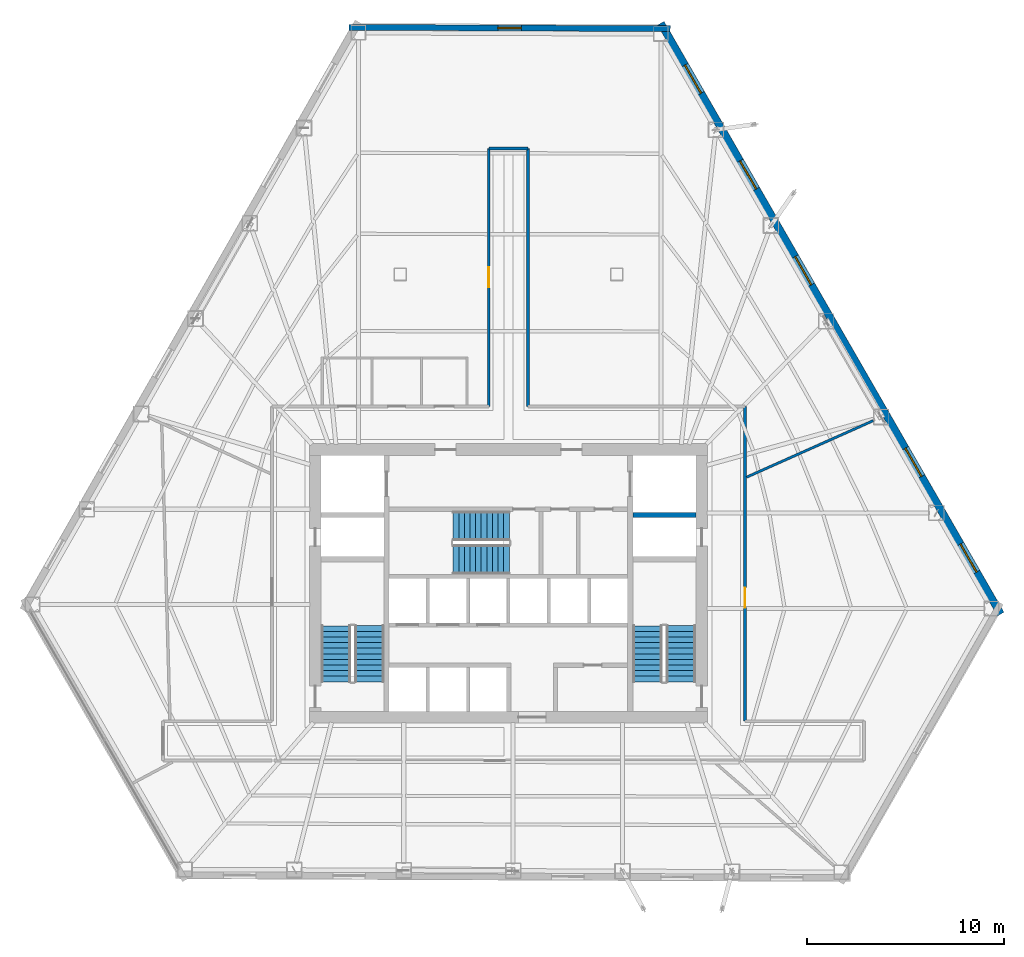
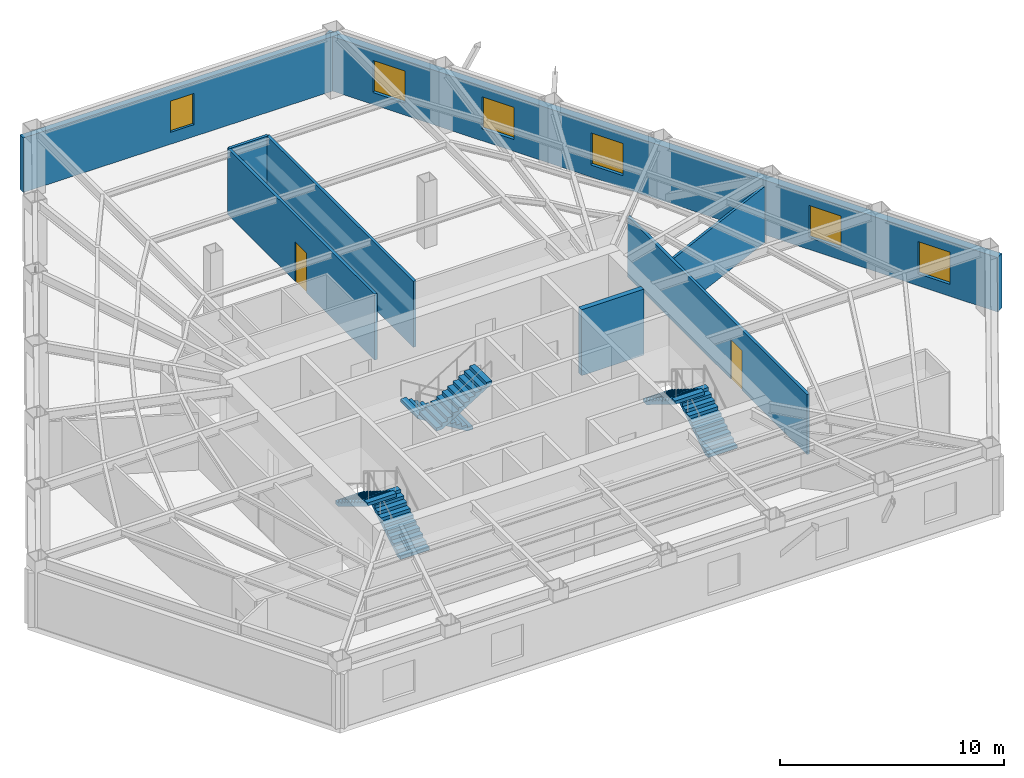
# One storey, part 11 of 13: 8 walls, 6 stair flights, 6 windows, 2 doors, 8 openings, 3 elements without a shape of their own.
"""IFC4 building model written with IfcOpenShell, lengths in metres."""

from ifc_helpers import new_model, si_unit, direction, frame, frame_2d, origin, place, context, subcontext, project, spatial, polyline, rectangle, outline, extrude, material, layer, layer_set, type_object, element, fill, aggregate, save


model = new_model("IFC4")

# Units and contexts
model_context = context("Model", 3, precision=1e-05, world=origin(), true_north=direction((0.0, 1.0)))
body_context = subcontext(model_context, "Body", "Model", "MODEL_VIEW")
ifc_project = project(units=[si_unit("LENGTHUNIT", "METRE"), si_unit("AREAUNIT", "SQUARE_METRE"), si_unit("VOLUMEUNIT", "CUBIC_METRE"), si_unit("PLANEANGLEUNIT", "RADIAN"), si_unit("MASSUNIT", "GRAM", prefix="KILO")], contexts=[model_context])

# Site, building, storey
site_placement = place(None, origin())
site = spatial("IfcSite", under=ifc_project, at=site_placement, CompositionType="ELEMENT")
building_placement = place(site_placement, origin())
building = spatial("IfcBuilding", under=site, at=building_placement, Name="Kavelnor Concourse Tower", CompositionType="ELEMENT")
storey_placement = place(building_placement, frame((0.0, 0.0, 36.800048828125)))
storey = spatial("IfcBuildingStorey", under=building, at=storey_placement, Name="L09", CompositionType="ELEMENT", Elevation=36.800048828125)

# Wall, opening, window
ifc_material_1 = material(Name="Buff ironspot clay face brick masonry", Category="masonry")
ifc_layer_1 = layer(ifc_material_1, 0.300048828125, Name="Buff ironspot clay face brick masonry")
ifc_layer_set_1 = layer_set([ifc_layer_1], Name="Buff ironspot clay face brick masonry")
wall_type_1 = type_object("IfcWallType", Name="WL-EXT-BUFF-BRICK-FOLD-300", PredefinedType="STANDARD", material=ifc_layer_set_1)
wall_1_placement = place(storey_placement, frame((29.8916015625, 44.35888671875, 0.0), z_axis=(0.0, 0.0, 1.0), x_axis=(0.99999136259, -0.004156289789, 0.0)))
wall_1 = element("IfcWall", 1, at=wall_1_placement, inside=storey, type_object=wall_type_1, Name="L09 Exterior Brick Facade Wall E0", PredefinedType="STANDARD", context=body_context, shape_type="SweptSolid", body=[
    extrude(rectangle(XDim=16.329833984375, YDim=0.300048828125, at=frame_2d((8.1650390625, 0.0))), origin(), (0.0, 0.0, 1.0), 2.969970703125),
])
opening_1_placement = place(wall_1_placement, frame((7.564697265625, 0.0, 0.64990234375)))
opening_1 = element("IfcOpeningElement", 2, at=opening_1_placement, cuts=wall_1, Name="Opening W-05", PredefinedType="OPENING", context=body_context, shape_type="SweptSolid", body=[
    extrude(rectangle(XDim=1.199951171875, YDim=1.699951171875, at=frame_2d((0.60009765625, 0.85009765625))), frame((0.0, 0.16015625, 0.0), z_axis=(0.0, -1.0, 0.0), x_axis=(1.0, 0.0, 0.0)), (0.0, 0.0, 1.0), 0.320068359375),
])
ifc_material_2 = material(Name="Double low-E argon insulated glazing", Category="glass")
window_type_1 = type_object("IfcWindowType", Name="WIN-FOLD-1200", PartitioningType="SINGLE_PANEL", PredefinedType="WINDOW", material=ifc_material_2)
window_1_placement = place(opening_1_placement, origin())
window_1 = element("IfcWindow", 3, at=window_1_placement, inside=storey, type_object=window_type_1, Name="L09 Chamfer-Fold Facet Window C0", OverallHeight=1.699951171875, OverallWidth=1.199951171875, PartitioningType="SINGLE_PANEL", PredefinedType="WINDOW", context=body_context, shape_type="SweptSolid", body=[
    extrude(rectangle(XDim=1.199951171875, YDim=1.699951171875, at=frame_2d((0.60009765625, 0.85009765625))), frame((0.0, 0.030029296875, 0.0), z_axis=(0.0, -1.0, 0.0), x_axis=(1.0, 0.0, 0.0)), (0.0, 0.0, 1.0), 0.06005859375),
])
fill(opening_1, window_1)

# Wall, openings, windows
ifc_material_3 = material(Name="Red-ochre clay face brick masonry", Category="masonry")
ifc_layer_2 = layer(ifc_material_3, 0.3798828125, Name="Red-ochre clay face brick masonry")
ifc_layer_set_2 = layer_set([ifc_layer_2], Name="Red-ochre clay face brick masonry")
wall_type_2 = type_object("IfcWallType", Name="WL-EXT-RED-BRICK-PIER-380", PredefinedType="STANDARD", material=ifc_layer_set_2)
wall_2_placement = place(storey_placement, frame((45.740234375, 44.570556640625, 0.0), z_axis=(0.0, 0.0, 1.0), x_axis=(0.498692886701, -0.866778751905, 0.0)))
wall_2 = element("IfcWall", 4, at=wall_2_placement, inside=storey, type_object=wall_type_2, Name="L09 Exterior Brick Facade Wall E5", PredefinedType="STANDARD", context=body_context, shape_type="SweptSolid", body=[
    extrude(rectangle(XDim=34.643310546875, YDim=0.3798828125, at=frame_2d((17.32177734375, 0.0))), origin(), (0.0, 0.0, 1.0), 2.969970703125),
])
opening_2_placement = place(wall_2_placement, frame((30.53564453125, 0.0, 0.64990234375)))
opening_2 = element("IfcOpeningElement", 5, at=opening_2_placement, cuts=wall_2, Name="Opening W-01", PredefinedType="OPENING", context=body_context, shape_type="SweptSolid", body=[
    extrude(rectangle(XDim=1.64990234375, YDim=1.75, at=frame_2d((0.824951171875, 0.875))), frame((0.0, 0.199951171875, 0.0), z_axis=(0.0, -1.0, 0.0), x_axis=(1.0, 0.0, 0.0)), (0.0, 0.0, 1.0), 0.39990234375),
])
opening_3_placement = place(wall_2_placement, frame((24.92041015625, 0.0, 0.64990234375)))
opening_3 = element("IfcOpeningElement", 6, at=opening_3_placement, cuts=wall_2, Name="Opening W-01", PredefinedType="OPENING", context=body_context, shape_type="SweptSolid", body=[
    extrude(rectangle(XDim=1.64990234375, YDim=1.75, at=frame_2d((0.824951171875, 0.875))), frame((0.0, 0.199951171875, 0.0), z_axis=(0.0, -1.0, 0.0), x_axis=(1.0, 0.0, 0.0)), (0.0, 0.0, 1.0), 0.39990234375),
])
opening_4_placement = place(wall_2_placement, frame((13.689697265625, 0.0, 0.64990234375)))
opening_4 = element("IfcOpeningElement", 7, at=opening_4_placement, cuts=wall_2, Name="Opening W-01", PredefinedType="OPENING", context=body_context, shape_type="SweptSolid", body=[
    extrude(rectangle(XDim=1.64990234375, YDim=1.75, at=frame_2d((0.824951171875, 0.875))), frame((0.0, 0.199951171875, 0.0), z_axis=(0.0, -1.0, 0.0), x_axis=(1.0, 0.0, 0.0)), (0.0, 0.0, 1.0), 0.39990234375),
])
opening_5_placement = place(wall_2_placement, frame((8.07421875, 0.0, 0.64990234375)))
opening_5 = element("IfcOpeningElement", 8, at=opening_5_placement, cuts=wall_2, Name="Opening W-01", PredefinedType="OPENING", context=body_context, shape_type="SweptSolid", body=[
    extrude(rectangle(XDim=1.64990234375, YDim=1.75, at=frame_2d((0.824951171875, 0.875))), frame((0.0, 0.199951171875, 0.0), z_axis=(0.0, -1.0, 0.0), x_axis=(1.0, 0.0, 0.0)), (0.0, 0.0, 1.0), 0.39990234375),
])
opening_6_placement = place(wall_2_placement, frame((2.458984375, 0.0, 0.64990234375)))
opening_6 = element("IfcOpeningElement", 9, at=opening_6_placement, cuts=wall_2, Name="Opening W-01", PredefinedType="OPENING", context=body_context, shape_type="SweptSolid", body=[
    extrude(rectangle(XDim=1.64990234375, YDim=1.75, at=frame_2d((0.824951171875, 0.875))), frame((0.0, 0.199951171875, 0.0), z_axis=(0.0, -1.0, 0.0), x_axis=(1.0, 0.0, 0.0)), (0.0, 0.0, 1.0), 0.39990234375),
])
window_type_2 = type_object("IfcWindowType", Name="WIN-PIER-Z1-1800", PartitioningType="SINGLE_PANEL", PredefinedType="WINDOW", material=ifc_material_2)
window_2_placement = place(opening_2_placement, origin())
window_2 = element("IfcWindow", 10, at=window_2_placement, inside=storey, type_object=window_type_2, Name="L09 Deep-Set Brick Pier Window F2-B0", OverallHeight=1.75, OverallWidth=1.64990234375, PartitioningType="SINGLE_PANEL", PredefinedType="WINDOW", context=body_context, shape_type="SweptSolid", body=[
    extrude(rectangle(XDim=1.64990234375, YDim=1.75, at=frame_2d((0.824951171875, 0.875))), frame((0.0, 0.030029296875, 0.0), z_axis=(0.0, -1.0, 0.0), x_axis=(1.0, 0.0, 0.0)), (0.0, 0.0, 1.0), 0.06005859375),
])
fill(opening_2, window_2)
window_3_placement = place(opening_3_placement, origin())
window_3 = element("IfcWindow", 11, at=window_3_placement, inside=storey, type_object=window_type_2, Name="L09 Deep-Set Brick Pier Window F2-B1", OverallHeight=1.75, OverallWidth=1.64990234375, PartitioningType="SINGLE_PANEL", PredefinedType="WINDOW", context=body_context, shape_type="SweptSolid", body=[
    extrude(rectangle(XDim=1.64990234375, YDim=1.75, at=frame_2d((0.824951171875, 0.875))), frame((0.0, 0.030029296875, 0.0), z_axis=(0.0, -1.0, 0.0), x_axis=(1.0, 0.0, 0.0)), (0.0, 0.0, 1.0), 0.06005859375),
])
fill(opening_3, window_3)
window_4_placement = place(opening_4_placement, origin())
window_4 = element("IfcWindow", 12, at=window_4_placement, inside=storey, type_object=window_type_2, Name="L09 Deep-Set Brick Pier Window F2-B3", OverallHeight=1.75, OverallWidth=1.64990234375, PartitioningType="SINGLE_PANEL", PredefinedType="WINDOW", context=body_context, shape_type="SweptSolid", body=[
    extrude(rectangle(XDim=1.64990234375, YDim=1.75, at=frame_2d((0.824951171875, 0.875))), frame((0.0, 0.030029296875, 0.0), z_axis=(0.0, -1.0, 0.0), x_axis=(1.0, 0.0, 0.0)), (0.0, 0.0, 1.0), 0.06005859375),
])
fill(opening_4, window_4)
window_5_placement = place(opening_5_placement, origin())
window_5 = element("IfcWindow", 13, at=window_5_placement, inside=storey, type_object=window_type_2, Name="L09 Deep-Set Brick Pier Window F2-B4", OverallHeight=1.75, OverallWidth=1.64990234375, PartitioningType="SINGLE_PANEL", PredefinedType="WINDOW", context=body_context, shape_type="SweptSolid", body=[
    extrude(rectangle(XDim=1.64990234375, YDim=1.75, at=frame_2d((0.824951171875, 0.875))), frame((0.0, 0.030029296875, 0.0), z_axis=(0.0, -1.0, 0.0), x_axis=(1.0, 0.0, 0.0)), (0.0, 0.0, 1.0), 0.06005859375),
])
fill(opening_5, window_5)
window_6_placement = place(opening_6_placement, origin())
window_6 = element("IfcWindow", 14, at=window_6_placement, inside=storey, type_object=window_type_2, Name="L09 Deep-Set Brick Pier Window F2-B5", OverallHeight=1.75, OverallWidth=1.64990234375, PartitioningType="SINGLE_PANEL", PredefinedType="WINDOW", context=body_context, shape_type="SweptSolid", body=[
    extrude(rectangle(XDim=1.64990234375, YDim=1.75, at=frame_2d((0.824951171875, 0.875))), frame((0.0, 0.030029296875, 0.0), z_axis=(0.0, -1.0, 0.0), x_axis=(1.0, 0.0, 0.0)), (0.0, 0.0, 1.0), 0.06005859375),
])
fill(opening_6, window_6)

# Wall, opening, door
ifc_material_4 = material(Name="Gypsum plasterboard on light-gauge steel studs", Category="steel")
ifc_layer_3 = layer(ifc_material_4, 0.14501953125, Name="Gypsum plasterboard on light-gauge steel studs")
ifc_layer_set_3 = layer_set([ifc_layer_3], Name="Gypsum plasterboard on light-gauge steel studs")
wall_type_3 = type_object("IfcWallType", Name="WL-INT-CORR-145", PredefinedType="PARTITIONING", material=ifc_layer_set_3)
wall_3_placement = place(storey_placement, frame((37.0, 25.10009765625, 0.0), z_axis=(0.0, 0.0, 1.0), x_axis=(0.0, 1.0, 0.0)))
wall_3 = element("IfcWall", 15, at=wall_3_placement, inside=storey, type_object=wall_type_3, Name="L09 Corridor Wall WL-L09-CR-04", PredefinedType="PARTITIONING", context=body_context, shape_type="SweptSolid", body=[
    extrude(rectangle(XDim=13.099853515625, YDim=0.14501953125, at=frame_2d((6.5498046875, 0.0))), origin(), (0.0, 0.0, 1.0), 3.58984375),
])
opening_7_placement = place(wall_3_placement, frame((6.0400390625, 0.0, 0.0)))
opening_7 = element("IfcOpeningElement", 16, at=opening_7_placement, cuts=wall_3, Name="Opening MD-102", PredefinedType="OPENING", context=body_context, shape_type="SweptSolid", body=[
    extrude(rectangle(XDim=1.02001953125, YDim=2.14990234375, at=frame_2d((0.510009765625, 1.074951171875))), frame((0.0, 0.08251953125, 0.0), z_axis=(0.0, -1.0, 0.0), x_axis=(1.0, 0.0, 0.0)), (0.0, 0.0, 1.0), 0.1650390625),
])
ifc_material_5 = material(Name="Acoustic glazed timber frame", Category="wood")
door_type = type_object("IfcDoorType", Name="DR-MEETING-1020", OperationType="NOTDEFINED", PredefinedType="DOOR", material=ifc_material_5)
door_1_placement = place(opening_7_placement, origin())
door_1 = element("IfcDoor", 17, at=door_1_placement, inside=storey, type_object=door_type, Name="L09 Client Boardroom 01 Door", OperationType="SINGLE_SWING_LEFT", OverallHeight=2.14990234375, OverallWidth=1.02001953125, PredefinedType="DOOR", context=body_context, shape_type="SweptSolid", body=[
    extrude(rectangle(XDim=1.02001953125, YDim=2.14990234375, at=frame_2d((0.510009765625, 1.074951171875))), frame((0.0, 0.02490234375, 0.0), z_axis=(0.0, -1.0, 0.0), x_axis=(1.0, 0.0, 0.0)), (0.0, 0.0, 1.0), 0.050048828125),
])
fill(opening_7, door_1)

# Walls
wall_4_placement = place(storey_placement, frame((37.0, 38.199951171875, 0.0), z_axis=(0.0, 0.0, 1.0), x_axis=(1.0, 0.0, 0.0)))
element("IfcWall", 18, at=wall_4_placement, inside=storey, type_object=wall_type_3, Name="L09 Corridor Wall WL-L09-CR-05", PredefinedType="PARTITIONING", context=body_context, shape_type="SweptSolid", body=[
    extrude(rectangle(XDim=2.0, YDim=0.14501953125, at=frame_2d((1.0, 0.0))), origin(), (0.0, 0.0, 1.0), 3.58984375),
])
wall_5_placement = place(storey_placement, frame((39.0, 38.199951171875, 0.0), z_axis=(0.0, 0.0, 1.0), x_axis=(0.0, -1.0, 0.0)))
element("IfcWall", 19, at=wall_5_placement, inside=storey, type_object=wall_type_3, Name="L09 Corridor Wall WL-L09-CR-06", PredefinedType="PARTITIONING", context=body_context, shape_type="SweptSolid", body=[
    extrude(rectangle(XDim=13.099853515625, YDim=0.14501953125, at=frame_2d((6.5498046875, 0.0))), origin(), (0.0, 0.0, 1.0), 3.58984375),
])

# Wall, opening, door
wall_6_placement = place(storey_placement, frame((50.02001953125, 25.10009765625, 0.0), z_axis=(0.0, 0.0, 1.0), x_axis=(0.0, -1.0, 0.0)))
wall_6 = element("IfcWall", 20, at=wall_6_placement, inside=storey, type_object=wall_type_3, Name="L09 Corridor Wall WL-L09-CR-08", PredefinedType="PARTITIONING", context=body_context, shape_type="SweptSolid", body=[
    extrude(rectangle(XDim=16.0, YDim=0.14501953125, at=frame_2d((8.0, 0.0))), origin(), (0.0, 0.0, 1.0), 3.27783203125),
])
opening_8_placement = place(wall_6_placement, frame((9.206787109375, 0.0, 0.0)))
opening_8 = element("IfcOpeningElement", 21, at=opening_8_placement, cuts=wall_6, Name="Opening MD-102", PredefinedType="OPENING", context=body_context, shape_type="SweptSolid", body=[
    extrude(rectangle(XDim=1.02001953125, YDim=2.14990234375, at=frame_2d((0.510009765625, 1.074951171875))), frame((0.0, 0.08251953125, 0.0), z_axis=(0.0, -1.0, 0.0), x_axis=(1.0, 0.0, 0.0)), (0.0, 0.0, 1.0), 0.1650390625),
])
door_2_placement = place(opening_8_placement, origin())
door_2 = element("IfcDoor", 22, at=door_2_placement, inside=storey, type_object=door_type, Name="L09 Client Boardroom 05 Door", OperationType="SINGLE_SWING_LEFT", OverallHeight=2.14990234375, OverallWidth=1.02001953125, PredefinedType="DOOR", context=body_context, shape_type="SweptSolid", body=[
    extrude(rectangle(XDim=1.02001953125, YDim=2.14990234375, at=frame_2d((0.510009765625, 1.074951171875))), frame((0.0, 0.02490234375, 0.0), z_axis=(0.0, -1.0, 0.0), x_axis=(1.0, 0.0, 0.0)), (0.0, 0.0, 1.0), 0.050048828125),
])
fill(opening_8, door_2)

# Walls
ifc_layer_4 = layer(ifc_material_4, 0.125, Name="Gypsum plasterboard on light-gauge steel studs")
ifc_layer_set_4 = layer_set([ifc_layer_4], Name="Gypsum plasterboard on light-gauge steel studs")
wall_type_4 = type_object("IfcWallType", Name="WL-INT-SUITE-125", PredefinedType="PARTITIONING", material=ifc_layer_set_4)
wall_7_placement = place(storey_placement, frame((50.1005859375, 21.499755859375, 0.0), z_axis=(0.0, 0.0, 1.0), x_axis=(0.913210626339, 0.407487854963, 0.0)))
element("IfcWall", 23, at=wall_7_placement, inside=storey, type_object=wall_type_4, Name="L09 Radial Suite Partition 01", PredefinedType="PARTITIONING", context=body_context, shape_type="SweptSolid", body=[
    extrude(rectangle(XDim=7.04833984375, YDim=0.125, at=frame_2d((3.524169921875, 0.0))), origin(), (0.0, 0.0, 1.0), 3.056884765625),
])
ifc_material_6 = material(Name="Concrete C50/60", Category="concrete")
ifc_layer_5 = layer(ifc_material_6, 0.260009765625, Name="Concrete C50/60")
ifc_layer_set_5 = layer_set([ifc_layer_5], Name="Concrete C50/60")
wall_type_5 = type_object("IfcWallType", Name="WL-SHAFT-260", PredefinedType="SHEAR", material=ifc_layer_set_5)
wall_8_placement = place(storey_placement, frame((44.320068359375, 19.570068359375, 0.0), z_axis=(0.0, 0.0, 1.0), x_axis=(1.0, 0.0, 0.0)))
element("IfcWall", 24, at=wall_8_placement, inside=storey, type_object=wall_type_5, Name="L09 Emergency Lift FL2 South Shaft Wall", PredefinedType="SHEAR", context=body_context, shape_type="SweptSolid", body=[
    extrude(rectangle(XDim=3.199951171875, YDim=0.260009765625, at=frame_2d((1.60009765625, 0.0))), origin(), (0.0, 0.0, 1.0), 3.58984375),
])

# Stair, stair flights
ifc_material_7 = material(Name="Concrete C40/50", Category="concrete")
stair_type = type_object("IfcStairType", Name="STR-CORE-1500", PredefinedType="HALF_TURN_STAIR", material=ifc_material_7)
stair_1_placement = place(storey_placement, origin())
stair_1 = element("IfcStair", 25, at=stair_1_placement, inside=storey, type_object=stair_type, Name="L09 ST1", PredefinedType="HALF_TURN_STAIR")
stair_flight_type = type_object("IfcStairFlightType", Name="STR-FLIGHT-1500", PredefinedType="STRAIGHT", material=ifc_material_7)
stair_flight_1_placement = place(storey_placement, frame((30.929931640625, 11.10009765625, 0.0), z_axis=(0.0, 0.0, 1.0), x_axis=(0.0, 1.0, 0.0)))
stair_flight_1 = element("IfcStairFlight", 26, at=stair_flight_1_placement, type_object=stair_flight_type, Name="ST1 flight 1", NumberOfRisers=11, NumberOfTreads=10, PredefinedType="STRAIGHT", RiserHeight=0.175, TreadLength=0.285, context=body_context, shape_type="SweptSolid", body=[
    extrude(outline(polyline([(0.0, 0.0), (0.0, 0.175048828125), (0.284912109375, 0.175048828125), (0.284912109375, 0.35009765625), (0.570068359375, 0.35009765625), (0.570068359375, 0.52490234375), (0.85498046875, 0.52490234375), (0.85498046875, 0.699951171875), (1.139892578125, 0.699951171875), (1.139892578125, 0.875), (1.425048828125, 0.875), (1.425048828125, 1.050048828125), (1.7099609375, 1.050048828125), (1.7099609375, 1.22509765625), (1.9951171875, 1.22509765625), (1.9951171875, 1.39990234375), (2.280029296875, 1.39990234375), (2.280029296875, 1.574951171875), (2.56494140625, 1.574951171875), (2.56494140625, 1.75), (2.85009765625, 1.75), (2.85009765625, 1.925048828125), (2.85009765625, 1.573974609375), (0.286376953125, 0.0), (0.0, 0.0)])), frame((0.0, 0.75, 0.0), z_axis=(0.0, -1.0, 0.0), x_axis=(1.0, 0.0, 0.0)), (0.0, 0.0, 1.0), 1.5),
])
stair_flight_2_placement = place(storey_placement, frame((29.22998046875, 13.949951171875, 1.925048828125), z_axis=(0.0, 0.0, 1.0), x_axis=(0.0, -1.0, 0.0)))
stair_flight_2 = element("IfcStairFlight", 27, at=stair_flight_2_placement, type_object=stair_flight_type, Name="ST1 flight 2", NumberOfRisers=11, NumberOfTreads=10, PredefinedType="STRAIGHT", RiserHeight=0.175, TreadLength=0.285, context=body_context, shape_type="SweptSolid", body=[
    extrude(outline(polyline([(0.0, 0.0), (0.0, 0.175048828125), (0.284912109375, 0.175048828125), (0.284912109375, 0.35009765625), (0.570068359375, 0.35009765625), (0.570068359375, 0.52490234375), (0.85498046875, 0.52490234375), (0.85498046875, 0.699951171875), (1.139892578125, 0.699951171875), (1.139892578125, 0.875), (1.425048828125, 0.875), (1.425048828125, 1.050048828125), (1.7099609375, 1.050048828125), (1.7099609375, 1.22509765625), (1.9951171875, 1.22509765625), (1.9951171875, 1.39990234375), (2.280029296875, 1.39990234375), (2.280029296875, 1.574951171875), (2.56494140625, 1.574951171875), (2.56494140625, 1.75), (2.85009765625, 1.75), (2.85009765625, 1.925048828125), (2.85009765625, 1.573974609375), (0.286376953125, 0.0), (0.0, 0.0)])), frame((0.0, 0.75, 0.0), z_axis=(0.0, -1.0, 0.0), x_axis=(1.0, 0.0, 0.0)), (0.0, 0.0, 1.0), 1.5),
])
aggregate(stair_1, [stair_flight_1, stair_flight_2])

stair_2_placement = place(storey_placement, origin())
stair_2 = element("IfcStair", 28, at=stair_2_placement, inside=storey, type_object=stair_type, Name="L09 ST2", PredefinedType="HALF_TURN_STAIR")
stair_flight_3_placement = place(storey_placement, frame((46.77001953125, 11.10009765625, 0.0), z_axis=(0.0, 0.0, 1.0), x_axis=(0.0, 1.0, 0.0)))
stair_flight_3 = element("IfcStairFlight", 29, at=stair_flight_3_placement, type_object=stair_flight_type, Name="ST2 flight 1", NumberOfRisers=11, NumberOfTreads=10, PredefinedType="STRAIGHT", RiserHeight=0.175, TreadLength=0.285, context=body_context, shape_type="SweptSolid", body=[
    extrude(outline(polyline([(0.0, 0.0), (0.0, 0.175048828125), (0.284912109375, 0.175048828125), (0.284912109375, 0.35009765625), (0.570068359375, 0.35009765625), (0.570068359375, 0.52490234375), (0.85498046875, 0.52490234375), (0.85498046875, 0.699951171875), (1.139892578125, 0.699951171875), (1.139892578125, 0.875), (1.425048828125, 0.875), (1.425048828125, 1.050048828125), (1.7099609375, 1.050048828125), (1.7099609375, 1.22509765625), (1.9951171875, 1.22509765625), (1.9951171875, 1.39990234375), (2.280029296875, 1.39990234375), (2.280029296875, 1.574951171875), (2.56494140625, 1.574951171875), (2.56494140625, 1.75), (2.85009765625, 1.75), (2.85009765625, 1.925048828125), (2.85009765625, 1.573974609375), (0.286376953125, 0.0), (0.0, 0.0)])), frame((0.0, 0.75, 0.0), z_axis=(0.0, -1.0, 0.0), x_axis=(1.0, 0.0, 0.0)), (0.0, 0.0, 1.0), 1.5),
])
stair_flight_4_placement = place(storey_placement, frame((45.070068359375, 13.949951171875, 1.925048828125), z_axis=(0.0, 0.0, 1.0), x_axis=(0.0, -1.0, 0.0)))
stair_flight_4 = element("IfcStairFlight", 30, at=stair_flight_4_placement, type_object=stair_flight_type, Name="ST2 flight 2", NumberOfRisers=11, NumberOfTreads=10, PredefinedType="STRAIGHT", RiserHeight=0.175, TreadLength=0.285, context=body_context, shape_type="SweptSolid", body=[
    extrude(outline(polyline([(0.0, 0.0), (0.0, 0.175048828125), (0.284912109375, 0.175048828125), (0.284912109375, 0.35009765625), (0.570068359375, 0.35009765625), (0.570068359375, 0.52490234375), (0.85498046875, 0.52490234375), (0.85498046875, 0.699951171875), (1.139892578125, 0.699951171875), (1.139892578125, 0.875), (1.425048828125, 0.875), (1.425048828125, 1.050048828125), (1.7099609375, 1.050048828125), (1.7099609375, 1.22509765625), (1.9951171875, 1.22509765625), (1.9951171875, 1.39990234375), (2.280029296875, 1.39990234375), (2.280029296875, 1.574951171875), (2.56494140625, 1.574951171875), (2.56494140625, 1.75), (2.85009765625, 1.75), (2.85009765625, 1.925048828125), (2.85009765625, 1.573974609375), (0.286376953125, 0.0), (0.0, 0.0)])), frame((0.0, 0.75, 0.0), z_axis=(0.0, -1.0, 0.0), x_axis=(1.0, 0.0, 0.0)), (0.0, 0.0, 1.0), 1.5),
])
aggregate(stair_2, [stair_flight_3, stair_flight_4])

stair_3_placement = place(storey_placement, origin())
stair_3 = element("IfcStair", 31, at=stair_3_placement, inside=storey, type_object=stair_type, Name="L09 ST3", PredefinedType="HALF_TURN_STAIR")
stair_flight_5_placement = place(storey_placement, frame((38.0400390625, 19.010009765625, 0.0), z_axis=(0.0, 0.0, 1.0), x_axis=(-1.0, 0.0, 0.0)))
stair_flight_5 = element("IfcStairFlight", 32, at=stair_flight_5_placement, type_object=stair_flight_type, Name="ST3 flight 1", NumberOfRisers=11, NumberOfTreads=10, PredefinedType="STRAIGHT", RiserHeight=0.175, TreadLength=0.285, context=body_context, shape_type="SweptSolid", body=[
    extrude(outline(polyline([(0.0, 0.0), (0.0, 0.175048828125), (0.284912109375, 0.175048828125), (0.284912109375, 0.35009765625), (0.570068359375, 0.35009765625), (0.570068359375, 0.52490234375), (0.85498046875, 0.52490234375), (0.85498046875, 0.699951171875), (1.139892578125, 0.699951171875), (1.139892578125, 0.875), (1.425048828125, 0.875), (1.425048828125, 1.050048828125), (1.7099609375, 1.050048828125), (1.7099609375, 1.22509765625), (1.9951171875, 1.22509765625), (1.9951171875, 1.39990234375), (2.280029296875, 1.39990234375), (2.280029296875, 1.574951171875), (2.56494140625, 1.574951171875), (2.56494140625, 1.75), (2.85009765625, 1.75), (2.85009765625, 1.925048828125), (2.85009765625, 1.573974609375), (0.286376953125, 0.0), (0.0, 0.0)])), frame((0.0, 0.75, 0.0), z_axis=(0.0, -1.0, 0.0), x_axis=(1.0, 0.0, 0.0)), (0.0, 0.0, 1.0), 1.5),
])
stair_flight_6_placement = place(storey_placement, frame((35.18994140625, 17.31005859375, 1.925048828125), z_axis=(0.0, 0.0, 1.0), x_axis=(1.0, 0.0, 0.0)))
stair_flight_6 = element("IfcStairFlight", 33, at=stair_flight_6_placement, type_object=stair_flight_type, Name="ST3 flight 2", NumberOfRisers=11, NumberOfTreads=10, PredefinedType="STRAIGHT", RiserHeight=0.175, TreadLength=0.285, context=body_context, shape_type="SweptSolid", body=[
    extrude(outline(polyline([(0.0, 0.0), (0.0, 0.175048828125), (0.284912109375, 0.175048828125), (0.284912109375, 0.35009765625), (0.570068359375, 0.35009765625), (0.570068359375, 0.52490234375), (0.85498046875, 0.52490234375), (0.85498046875, 0.699951171875), (1.139892578125, 0.699951171875), (1.139892578125, 0.875), (1.425048828125, 0.875), (1.425048828125, 1.050048828125), (1.7099609375, 1.050048828125), (1.7099609375, 1.22509765625), (1.9951171875, 1.22509765625), (1.9951171875, 1.39990234375), (2.280029296875, 1.39990234375), (2.280029296875, 1.574951171875), (2.56494140625, 1.574951171875), (2.56494140625, 1.75), (2.85009765625, 1.75), (2.85009765625, 1.925048828125), (2.85009765625, 1.573974609375), (0.286376953125, 0.0), (0.0, 0.0)])), frame((0.0, 0.75, 0.0), z_axis=(0.0, -1.0, 0.0), x_axis=(1.0, 0.0, 0.0)), (0.0, 0.0, 1.0), 1.5),
])
aggregate(stair_3, [stair_flight_5, stair_flight_6])

save(model, "model.ifc")
